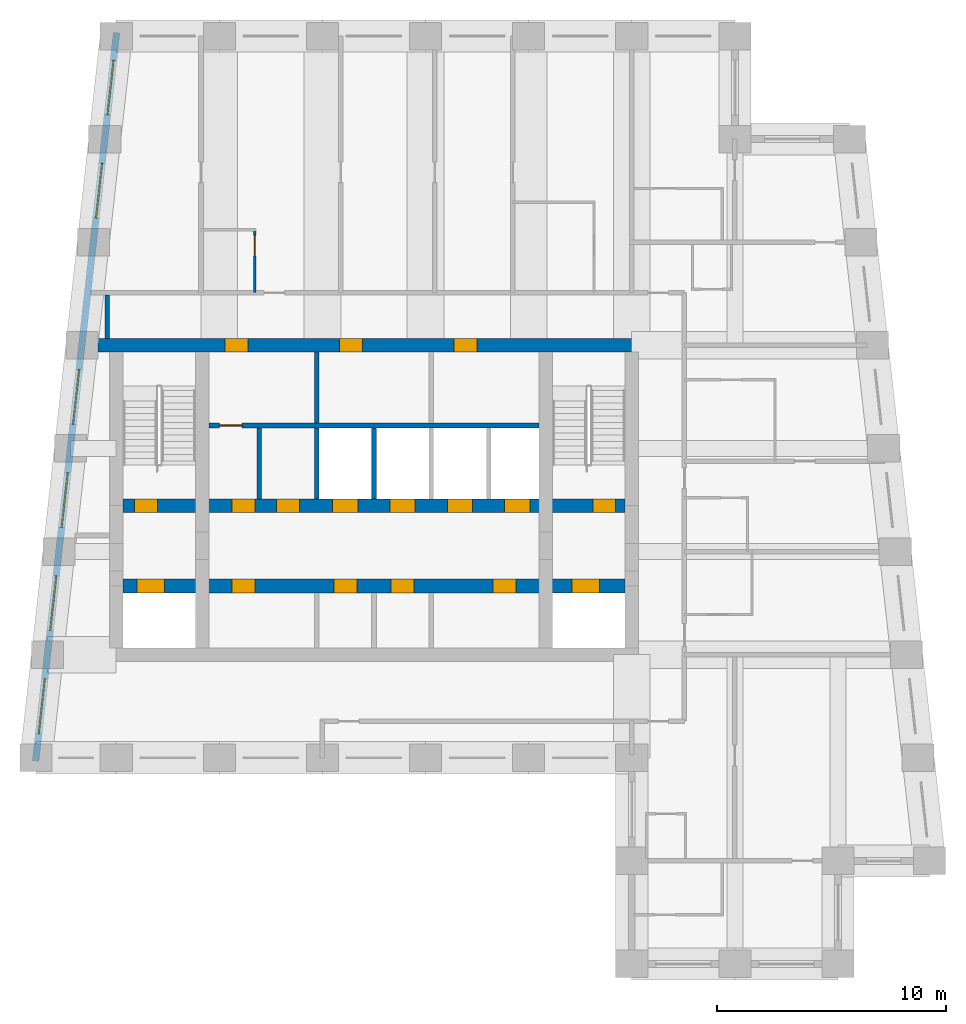
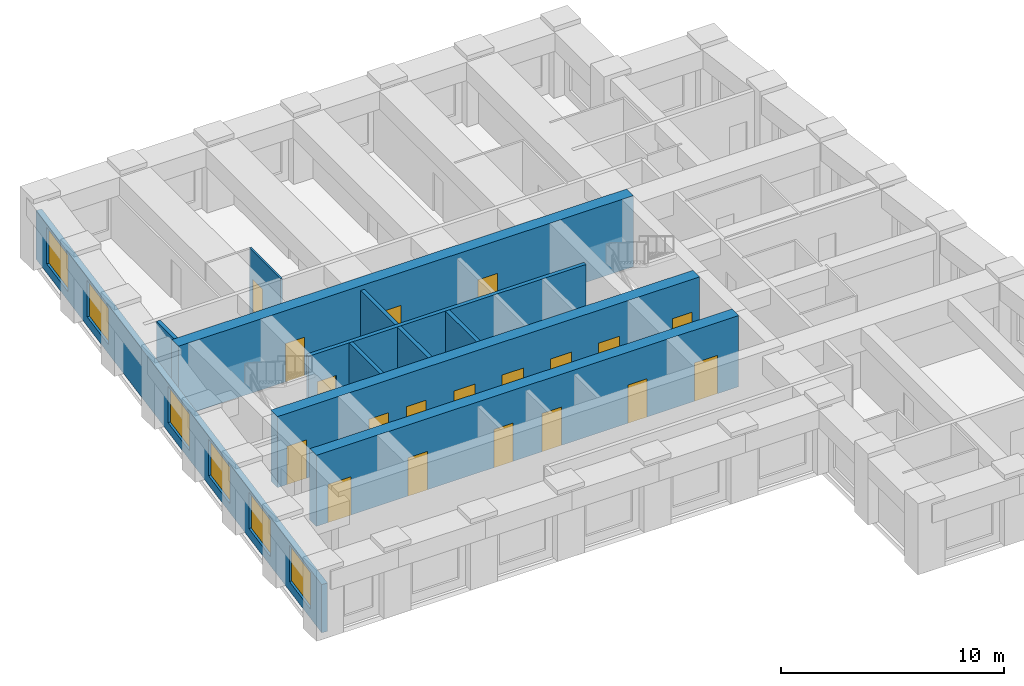
# One storey, part 3 of 7: 19 doors, 11 walls, 6 windows, 25 openings.
"""IFC4 building model written with IfcOpenShell, lengths in metres."""

from ifc_helpers import new_model, si_unit, direction, frame, frame_2d, origin, place, context, subcontext, project, spatial, rectangle, extrude, material, layer, layer_set, type_object, element, fill, save


model = new_model("IFC4")

# Units and contexts
model_context = context("Model", 3, precision=1e-05, world=origin(), true_north=direction((0.0, 1.0)))
body_context = subcontext(model_context, "Body", "Model", "MODEL_VIEW")
ifc_project = project(units=[si_unit("LENGTHUNIT", "METRE"), si_unit("AREAUNIT", "SQUARE_METRE"), si_unit("VOLUMEUNIT", "CUBIC_METRE"), si_unit("PLANEANGLEUNIT", "RADIAN"), si_unit("MASSUNIT", "GRAM", prefix="KILO")], contexts=[model_context])

# Site, building, storey
site_placement = place(None, origin())
site = spatial("IfcSite", under=ifc_project, at=site_placement, CompositionType="ELEMENT")
building_placement = place(site_placement, origin())
building = spatial("IfcBuilding", under=site, at=building_placement, Name="Kilele Tower Hotel", CompositionType="ELEMENT")
storey_placement = place(building_placement, frame((0.0, 0.0, 274.10009765625)))
storey = spatial("IfcBuildingStorey", under=building, at=storey_placement, Name="L70", CompositionType="ELEMENT", Elevation=274.10009765625)

# Wall, opening, door
ifc_material_1 = material(Name="Moisture-resistant board")
ifc_layer_1 = layer(ifc_material_1, 0.10009765625)
ifc_layer_set_1 = layer_set([ifc_layer_1], Name="Moisture-resistant board")
wall_type_1 = type_object("IfcWallType", Name="Bathroom partition 100", PredefinedType="PLUMBINGWALL", material=ifc_layer_set_1)
wall_1_placement = place(storey_placement, frame((19.550048828125, 29.300048828125, 0.0), z_axis=(0.0, 0.0, 1.0), x_axis=(0.0, 1.0, 0.0)))
wall_1 = element("IfcWall", 1, at=wall_1_placement, inside=storey, type_object=wall_type_1, Name="Bathroom partition 100 L70", PredefinedType="PLUMBINGWALL", context=body_context, shape_type="SweptSolid", body=[
    extrude(rectangle(XDim=2.800048828125, YDim=0.10009765625, at=frame_2d((1.39990234375, 0.0))), origin(), (0.0, 0.0, 1.0), 3.64990234375),
])
opening_1_placement = place(wall_1_placement, frame((2.5, 0.0, 0.0), z_axis=(0.0, 0.0, 1.0), x_axis=(-1.0, 0.0, 0.0)))
opening_1 = element("IfcOpeningElement", 2, at=opening_1_placement, cuts=wall_1, Name="Opening D2A", PredefinedType="OPENING", context=body_context, shape_type="SweptSolid", body=[
    extrude(rectangle(XDim=0.89990234375, YDim=2.10009765625, at=frame_2d((0.449951171875, 1.050048828125))), frame((0.0, 0.06005859375, 0.0), z_axis=(0.0, -1.0, 0.0), x_axis=(1.0, 0.0, 0.0)), (0.0, 0.0, 1.0), 0.1201171875),
])
ifc_material_2 = material(Name="Timber door leaf in hardwood frame", Category="wood")
door_type_1 = type_object("IfcDoorType", Name="Bathroom door 900", OperationType="SINGLE_SWING_LEFT", PredefinedType="DOOR", material=ifc_material_2)
door_1_placement = place(opening_1_placement, origin())
door_1 = element("IfcDoor", 3, at=door_1_placement, inside=storey, type_object=door_type_1, Name="Bathroom door 7007B", OperationType="SINGLE_SWING_RIGHT", OverallHeight=2.10009765625, OverallWidth=0.89990234375, PredefinedType="DOOR", context=body_context, shape_type="SweptSolid", body=[
    extrude(rectangle(XDim=0.89990234375, YDim=2.10009765625, at=frame_2d((0.449951171875, 1.050048828125))), frame((0.0, 0.02490234375, 0.0), z_axis=(0.0, -1.0, 0.0), x_axis=(1.0, 0.0, 0.0)), (0.0, 0.0, 1.0), 0.050048828125),
])
fill(opening_1, door_1)

# Wall, openings, doors
ifc_material_3 = material(Name="Concrete C60/75", Category="concrete")
ifc_layer_2 = layer(ifc_material_3, 0.60009765625)
ifc_layer_set_2 = layer_set([ifc_layer_2], Name="Concrete C60/75")
wall_type_2 = type_object("IfcWallType", Name="Core wall 600 C60/75", PredefinedType="SHEAR", material=ifc_layer_set_2)
wall_2_placement = place(storey_placement, frame((36.300048828125, 27.0, 0.0), z_axis=(0.0, 0.0, 1.0), x_axis=(-1.0, 0.0, 0.0)))
wall_2 = element("IfcWall", 4, at=wall_2_placement, inside=storey, type_object=wall_type_2, Name="Core wall N L70", PredefinedType="SHEAR", context=body_context, shape_type="SweptSolid", body=[
    extrude(rectangle(XDim=23.60009765625, YDim=0.60009765625, at=frame_2d((11.800048828125, 0.0))), origin(), (0.0, 0.0, 1.0), 3.89990234375),
])
opening_2_placement = place(wall_2_placement, frame((17.050048828125, 0.0, 0.0)))
opening_2 = element("IfcOpeningElement", 5, at=opening_2_placement, cuts=wall_2, Name="Opening D12", PredefinedType="OPENING", context=body_context, shape_type="SweptSolid", body=[
    extrude(rectangle(XDim=1.0, YDim=2.10009765625, at=frame_2d((0.5, 1.050048828125))), frame((0.0, 0.31005859375, 0.0), z_axis=(0.0, -1.0, 0.0), x_axis=(1.0, 0.0, 0.0)), (0.0, 0.0, 1.0), 0.6201171875),
])
opening_3_placement = place(wall_2_placement, frame((12.050048828125, 0.0, 0.0)))
opening_3 = element("IfcOpeningElement", 6, at=opening_3_placement, cuts=wall_2, Name="Opening D6", PredefinedType="OPENING", context=body_context, shape_type="SweptSolid", body=[
    extrude(rectangle(XDim=1.0, YDim=2.10009765625, at=frame_2d((0.5, 1.050048828125))), frame((0.0, 0.31005859375, 0.0), z_axis=(0.0, -1.0, 0.0), x_axis=(1.0, 0.0, 0.0)), (0.0, 0.0, 1.0), 0.6201171875),
])
opening_4_placement = place(wall_2_placement, frame((7.050048828125, 0.0, 0.0)))
opening_4 = element("IfcOpeningElement", 7, at=opening_4_placement, cuts=wall_2, Name="Opening D6", PredefinedType="OPENING", context=body_context, shape_type="SweptSolid", body=[
    extrude(rectangle(XDim=1.0, YDim=2.10009765625, at=frame_2d((0.5, 1.050048828125))), frame((0.0, 0.31005859375, 0.0), z_axis=(0.0, -1.0, 0.0), x_axis=(1.0, 0.0, 0.0)), (0.0, 0.0, 1.0), 0.6201171875),
])
ifc_material_4 = material(Name="Timber door leaf in hardwood frame", Category="wood")
door_type_2 = type_object("IfcDoorType", Name="Core lobby door 1000", OperationType="SINGLE_SWING_LEFT", PredefinedType="DOOR", material=ifc_material_4)
door_2_placement = place(opening_2_placement, origin())
door_2 = element("IfcDoor", 8, at=door_2_placement, inside=storey, type_object=door_type_2, Name="North lobby door L70", OperationType="SINGLE_SWING_RIGHT", OverallHeight=2.10009765625, OverallWidth=1.0, PredefinedType="DOOR", context=body_context, shape_type="SweptSolid", body=[
    extrude(rectangle(XDim=1.0, YDim=2.10009765625, at=frame_2d((0.5, 1.050048828125))), frame((0.0, 0.2998046875, 0.0), z_axis=(0.0, -1.0, 0.0), x_axis=(1.0, 0.0, 0.0)), (0.0, 0.0, 1.0), 0.599609375),
])
fill(opening_2, door_2)
ifc_material_5 = material(Name="Timber door leaf in hardwood frame", Category="wood")
door_type_3 = type_object("IfcDoorType", Name="Riser door 1000", OperationType="SINGLE_SWING_LEFT", PredefinedType="DOOR", material=ifc_material_5)
door_3_placement = place(opening_3_placement, origin())
door_3 = element("IfcDoor", 9, at=door_3_placement, inside=storey, type_object=door_type_3, Name="Linen store door L70", OperationType="SINGLE_SWING_RIGHT", OverallHeight=2.10009765625, OverallWidth=1.0, PredefinedType="DOOR", context=body_context, shape_type="SweptSolid", body=[
    extrude(rectangle(XDim=1.0, YDim=2.10009765625, at=frame_2d((0.5, 1.050048828125))), frame((0.0, 0.2998046875, 0.0), z_axis=(0.0, -1.0, 0.0), x_axis=(1.0, 0.0, 0.0)), (0.0, 0.0, 1.0), 0.599609375),
])
fill(opening_3, door_3)
door_4_placement = place(opening_4_placement, origin())
door_4 = element("IfcDoor", 10, at=door_4_placement, inside=storey, type_object=door_type_3, Name="Electrical riser door L70", OperationType="SINGLE_SWING_RIGHT", OverallHeight=2.10009765625, OverallWidth=1.0, PredefinedType="DOOR", context=body_context, shape_type="SweptSolid", body=[
    extrude(rectangle(XDim=1.0, YDim=2.10009765625, at=frame_2d((0.5, 1.050048828125))), frame((0.0, 0.2998046875, 0.0), z_axis=(0.0, -1.0, 0.0), x_axis=(1.0, 0.0, 0.0)), (0.0, 0.0, 1.0), 0.599609375),
])
fill(opening_4, door_4)

wall_3_placement = place(storey_placement, frame((13.800048828125, 16.5, 0.0), z_axis=(0.0, 0.0, 1.0), x_axis=(1.0, 0.0, 0.0)))
wall_3 = element("IfcWall", 11, at=wall_3_placement, inside=storey, type_object=wall_type_2, Name="Core wall LS L70", PredefinedType="SHEAR", context=body_context, shape_type="SweptSolid", body=[
    extrude(rectangle(XDim=21.89990234375, YDim=0.60009765625, at=frame_2d((10.949951171875, 0.0))), origin(), (0.0, 0.0, 1.0), 3.89990234375),
])
opening_5_placement = place(wall_3_placement, frame((5.75, 0.0, 0.0), z_axis=(0.0, 0.0, 1.0), x_axis=(-1.0, 0.0, 0.0)))
opening_5 = element("IfcOpeningElement", 12, at=opening_5_placement, cuts=wall_3, Name="Opening D11", PredefinedType="OPENING", context=body_context, shape_type="SweptSolid", body=[
    extrude(rectangle(XDim=1.0, YDim=2.10009765625, at=frame_2d((0.5, 1.050048828125))), frame((0.0, 0.31005859375, 0.0), z_axis=(0.0, -1.0, 0.0), x_axis=(1.0, 0.0, 0.0)), (0.0, 0.0, 1.0), 0.6201171875),
])
opening_6_placement = place(wall_3_placement, frame((10.199951171875, 0.0, 0.0), z_axis=(0.0, 0.0, 1.0), x_axis=(-1.0, 0.0, 0.0)))
opening_6 = element("IfcOpeningElement", 13, at=opening_6_placement, cuts=wall_3, Name="Opening D11", PredefinedType="OPENING", context=body_context, shape_type="SweptSolid", body=[
    extrude(rectangle(XDim=1.0, YDim=2.10009765625, at=frame_2d((0.5, 1.050048828125))), frame((0.0, 0.31005859375, 0.0), z_axis=(0.0, -1.0, 0.0), x_axis=(1.0, 0.0, 0.0)), (0.0, 0.0, 1.0), 0.6201171875),
])
opening_7_placement = place(wall_3_placement, frame((12.699951171875, 0.0, 0.0), z_axis=(0.0, 0.0, 1.0), x_axis=(-1.0, 0.0, 0.0)))
opening_7 = element("IfcOpeningElement", 14, at=opening_7_placement, cuts=wall_3, Name="Opening D11", PredefinedType="OPENING", context=body_context, shape_type="SweptSolid", body=[
    extrude(rectangle(XDim=1.0, YDim=2.10009765625, at=frame_2d((0.5, 1.050048828125))), frame((0.0, 0.31005859375, 0.0), z_axis=(0.0, -1.0, 0.0), x_axis=(1.0, 0.0, 0.0)), (0.0, 0.0, 1.0), 0.6201171875),
])
opening_8_placement = place(wall_3_placement, frame((17.14990234375, 0.0, 0.0), z_axis=(0.0, 0.0, 1.0), x_axis=(-1.0, 0.0, 0.0)))
opening_8 = element("IfcOpeningElement", 15, at=opening_8_placement, cuts=wall_3, Name="Opening D11", PredefinedType="OPENING", context=body_context, shape_type="SweptSolid", body=[
    extrude(rectangle(XDim=1.0, YDim=2.10009765625, at=frame_2d((0.5, 1.050048828125))), frame((0.0, 0.31005859375, 0.0), z_axis=(0.0, -1.0, 0.0), x_axis=(1.0, 0.0, 0.0)), (0.0, 0.0, 1.0), 0.6201171875),
])
opening_9_placement = place(wall_3_placement, frame((0.60009765625, 0.0, 0.0)))
opening_9 = element("IfcOpeningElement", 16, at=opening_9_placement, cuts=wall_3, Name="Opening LD2", PredefinedType="OPENING", context=body_context, shape_type="SweptSolid", body=[
    extrude(rectangle(XDim=1.199951171875, YDim=2.10009765625, at=frame_2d((0.60009765625, 1.050048828125))), frame((0.0, 0.31005859375, 0.0), z_axis=(0.0, -1.0, 0.0), x_axis=(1.0, 0.0, 0.0)), (0.0, 0.0, 1.0), 0.6201171875),
])
opening_10_placement = place(wall_3_placement, frame((19.60009765625, 0.0, 0.0)))
opening_10 = element("IfcOpeningElement", 17, at=opening_10_placement, cuts=wall_3, Name="Opening LD2", PredefinedType="OPENING", context=body_context, shape_type="SweptSolid", body=[
    extrude(rectangle(XDim=1.199951171875, YDim=2.10009765625, at=frame_2d((0.60009765625, 1.050048828125))), frame((0.0, 0.31005859375, 0.0), z_axis=(0.0, -1.0, 0.0), x_axis=(1.0, 0.0, 0.0)), (0.0, 0.0, 1.0), 0.6201171875),
])
ifc_material_6 = material(Name="Timber door leaf in hardwood frame", Category="wood")
door_type_4 = type_object("IfcDoorType", Name="Core store door 1000", OperationType="SINGLE_SWING_LEFT", PredefinedType="DOOR", material=ifc_material_6)
door_5_placement = place(opening_5_placement, origin())
door_5 = element("IfcDoor", 18, at=door_5_placement, inside=storey, type_object=door_type_4, Name="Core room door L1 L70", OperationType="SINGLE_SWING_RIGHT", OverallHeight=2.10009765625, OverallWidth=1.0, PredefinedType="DOOR", context=body_context, shape_type="SweptSolid", body=[
    extrude(rectangle(XDim=1.0, YDim=2.10009765625, at=frame_2d((0.5, 1.050048828125))), frame((0.0, 0.2998046875, 0.0), z_axis=(0.0, -1.0, 0.0), x_axis=(1.0, 0.0, 0.0)), (0.0, 0.0, 1.0), 0.599609375),
])
fill(opening_5, door_5)
door_6_placement = place(opening_6_placement, origin())
door_6 = element("IfcDoor", 19, at=door_6_placement, inside=storey, type_object=door_type_4, Name="Core room door L3 L70", OperationType="SINGLE_SWING_RIGHT", OverallHeight=2.10009765625, OverallWidth=1.0, PredefinedType="DOOR", context=body_context, shape_type="SweptSolid", body=[
    extrude(rectangle(XDim=1.0, YDim=2.10009765625, at=frame_2d((0.5, 1.050048828125))), frame((0.0, 0.2998046875, 0.0), z_axis=(0.0, -1.0, 0.0), x_axis=(1.0, 0.0, 0.0)), (0.0, 0.0, 1.0), 0.599609375),
])
fill(opening_6, door_6)
door_7_placement = place(opening_7_placement, origin())
door_7 = element("IfcDoor", 20, at=door_7_placement, inside=storey, type_object=door_type_4, Name="Core room door M1 L70", OperationType="SINGLE_SWING_LEFT", OverallHeight=2.10009765625, OverallWidth=1.0, PredefinedType="DOOR", context=body_context, shape_type="SweptSolid", body=[
    extrude(rectangle(XDim=1.0, YDim=2.10009765625, at=frame_2d((0.5, 1.050048828125))), frame((0.0, 0.2998046875, 0.0), z_axis=(0.0, -1.0, 0.0), x_axis=(1.0, 0.0, 0.0)), (0.0, 0.0, 1.0), 0.599609375),
])
fill(opening_7, door_7)
door_8_placement = place(opening_8_placement, origin())
door_8 = element("IfcDoor", 21, at=door_8_placement, inside=storey, type_object=door_type_4, Name="Core room door M3 L70", OperationType="SINGLE_SWING_LEFT", OverallHeight=2.10009765625, OverallWidth=1.0, PredefinedType="DOOR", context=body_context, shape_type="SweptSolid", body=[
    extrude(rectangle(XDim=1.0, YDim=2.10009765625, at=frame_2d((0.5, 1.050048828125))), frame((0.0, 0.2998046875, 0.0), z_axis=(0.0, -1.0, 0.0), x_axis=(1.0, 0.0, 0.0)), (0.0, 0.0, 1.0), 0.599609375),
])
fill(opening_8, door_8)
ifc_material_7 = material(Name="Steel lift landing door", Category="steel")
door_type_5 = type_object("IfcDoorType", Name="Firefighting lift landing door 1200", OperationType="SLIDING_TO_LEFT", PredefinedType="DOOR", material=ifc_material_7)
door_9_placement = place(opening_9_placement, origin())
door_9 = element("IfcDoor", 22, at=door_9_placement, inside=storey, type_object=door_type_5, Name="Landing door FFW L70", OperationType="SLIDING_TO_LEFT", OverallHeight=2.10009765625, OverallWidth=1.199951171875, PredefinedType="DOOR", context=body_context, shape_type="SweptSolid", body=[
    extrude(rectangle(XDim=1.199951171875, YDim=2.10009765625, at=frame_2d((0.60009765625, 1.050048828125))), frame((0.0, 0.2998046875, 0.0), z_axis=(0.0, -1.0, 0.0), x_axis=(1.0, 0.0, 0.0)), (0.0, 0.0, 1.0), 0.599609375),
])
fill(opening_9, door_9)
door_10_placement = place(opening_10_placement, origin())
door_10 = element("IfcDoor", 23, at=door_10_placement, inside=storey, type_object=door_type_5, Name="Landing door FFE L70", OperationType="SLIDING_TO_LEFT", OverallHeight=2.10009765625, OverallWidth=1.199951171875, PredefinedType="DOOR", context=body_context, shape_type="SweptSolid", body=[
    extrude(rectangle(XDim=1.199951171875, YDim=2.10009765625, at=frame_2d((0.60009765625, 1.050048828125))), frame((0.0, 0.2998046875, 0.0), z_axis=(0.0, -1.0, 0.0), x_axis=(1.0, 0.0, 0.0)), (0.0, 0.0, 1.0), 0.599609375),
])
fill(opening_10, door_10)

wall_4_placement = place(storey_placement, frame((13.800048828125, 20.0, 0.0), z_axis=(0.0, 0.0, 1.0), x_axis=(1.0, 0.0, 0.0)))
wall_4 = element("IfcWall", 24, at=wall_4_placement, inside=storey, type_object=wall_type_2, Name="Core wall LN L70", PredefinedType="SHEAR", context=body_context, shape_type="SweptSolid", body=[
    extrude(rectangle(XDim=21.89990234375, YDim=0.60009765625, at=frame_2d((10.949951171875, 0.0))), origin(), (0.0, 0.0, 1.0), 3.89990234375),
])
opening_11_placement = place(wall_4_placement, frame((0.5, 0.0, 0.0)))
opening_11 = element("IfcOpeningElement", 25, at=opening_11_placement, cuts=wall_4, Name="Opening D5", PredefinedType="OPENING", context=body_context, shape_type="SweptSolid", body=[
    extrude(rectangle(XDim=1.0, YDim=2.10009765625, at=frame_2d((0.5, 1.050048828125))), frame((0.0, 0.31005859375, 0.0), z_axis=(0.0, -1.0, 0.0), x_axis=(1.0, 0.0, 0.0)), (0.0, 0.0, 1.0), 0.6201171875),
])
opening_12_placement = place(wall_4_placement, frame((20.5, 0.0, 0.0)))
opening_12 = element("IfcOpeningElement", 26, at=opening_12_placement, cuts=wall_4, Name="Opening D5", PredefinedType="OPENING", context=body_context, shape_type="SweptSolid", body=[
    extrude(rectangle(XDim=1.0, YDim=2.10009765625, at=frame_2d((0.5, 1.050048828125))), frame((0.0, 0.31005859375, 0.0), z_axis=(0.0, -1.0, 0.0), x_axis=(1.0, 0.0, 0.0)), (0.0, 0.0, 1.0), 0.6201171875),
])
opening_13_placement = place(wall_4_placement, frame((9.14990234375, 0.0, 0.0)))
opening_13 = element("IfcOpeningElement", 27, at=opening_13_placement, cuts=wall_4, Name="Opening LD1", PredefinedType="OPENING", context=body_context, shape_type="SweptSolid", body=[
    extrude(rectangle(XDim=1.10009765625, YDim=2.10009765625, at=frame_2d((0.550048828125, 1.050048828125))), frame((0.0, 0.31005859375, 0.0), z_axis=(0.0, -1.0, 0.0), x_axis=(1.0, 0.0, 0.0)), (0.0, 0.0, 1.0), 0.6201171875),
])
opening_14_placement = place(wall_4_placement, frame((11.64990234375, 0.0, 0.0)))
opening_14 = element("IfcOpeningElement", 28, at=opening_14_placement, cuts=wall_4, Name="Opening LD1", PredefinedType="OPENING", context=body_context, shape_type="SweptSolid", body=[
    extrude(rectangle(XDim=1.10009765625, YDim=2.10009765625, at=frame_2d((0.550048828125, 1.050048828125))), frame((0.0, 0.31005859375, 0.0), z_axis=(0.0, -1.0, 0.0), x_axis=(1.0, 0.0, 0.0)), (0.0, 0.0, 1.0), 0.6201171875),
])
opening_15_placement = place(wall_4_placement, frame((14.14990234375, 0.0, 0.0)))
opening_15 = element("IfcOpeningElement", 29, at=opening_15_placement, cuts=wall_4, Name="Opening LD1", PredefinedType="OPENING", context=body_context, shape_type="SweptSolid", body=[
    extrude(rectangle(XDim=1.10009765625, YDim=2.10009765625, at=frame_2d((0.550048828125, 1.050048828125))), frame((0.0, 0.31005859375, 0.0), z_axis=(0.0, -1.0, 0.0), x_axis=(1.0, 0.0, 0.0)), (0.0, 0.0, 1.0), 0.6201171875),
])
opening_16_placement = place(wall_4_placement, frame((16.64990234375, 0.0, 0.0)))
opening_16 = element("IfcOpeningElement", 30, at=opening_16_placement, cuts=wall_4, Name="Opening LD1", PredefinedType="OPENING", context=body_context, shape_type="SweptSolid", body=[
    extrude(rectangle(XDim=1.10009765625, YDim=2.10009765625, at=frame_2d((0.550048828125, 1.050048828125))), frame((0.0, 0.31005859375, 0.0), z_axis=(0.0, -1.0, 0.0), x_axis=(1.0, 0.0, 0.0)), (0.0, 0.0, 1.0), 0.6201171875),
])
opening_17_placement = place(wall_4_placement, frame((5.75, 0.0, 0.0), z_axis=(0.0, 0.0, 1.0), x_axis=(-1.0, 0.0, 0.0)))
opening_17 = element("IfcOpeningElement", 31, at=opening_17_placement, cuts=wall_4, Name="Opening D12", PredefinedType="OPENING", context=body_context, shape_type="SweptSolid", body=[
    extrude(rectangle(XDim=1.0, YDim=2.10009765625, at=frame_2d((0.5, 1.050048828125))), frame((0.0, 0.31005859375, 0.0), z_axis=(0.0, -1.0, 0.0), x_axis=(1.0, 0.0, 0.0)), (0.0, 0.0, 1.0), 0.6201171875),
])
opening_18_placement = place(wall_4_placement, frame((6.699951171875, 0.0, 0.0)))
opening_18 = element("IfcOpeningElement", 32, at=opening_18_placement, cuts=wall_4, Name="Opening D11", PredefinedType="OPENING", context=body_context, shape_type="SweptSolid", body=[
    extrude(rectangle(XDim=1.0, YDim=2.10009765625, at=frame_2d((0.5, 1.050048828125))), frame((0.0, 0.31005859375, 0.0), z_axis=(0.0, -1.0, 0.0), x_axis=(1.0, 0.0, 0.0)), (0.0, 0.0, 1.0), 0.6201171875),
])
door_11_placement = place(opening_17_placement, origin())
door_11 = element("IfcDoor", 33, at=door_11_placement, inside=storey, type_object=door_type_2, Name="Core passage door L70", OperationType="SINGLE_SWING_RIGHT", OverallHeight=2.10009765625, OverallWidth=1.0, PredefinedType="DOOR", context=body_context, shape_type="SweptSolid", body=[
    extrude(rectangle(XDim=1.0, YDim=2.10009765625, at=frame_2d((0.5, 1.050048828125))), frame((0.0, 0.2998046875, 0.0), z_axis=(0.0, -1.0, 0.0), x_axis=(1.0, 0.0, 0.0)), (0.0, 0.0, 1.0), 0.599609375),
])
fill(opening_17, door_11)
door_12_placement = place(opening_18_placement, origin())
door_12 = element("IfcDoor", 34, at=door_12_placement, inside=storey, type_object=door_type_4, Name="Core room door S2 L70", OperationType="SINGLE_SWING_LEFT", OverallHeight=2.10009765625, OverallWidth=1.0, PredefinedType="DOOR", context=body_context, shape_type="SweptSolid", body=[
    extrude(rectangle(XDim=1.0, YDim=2.10009765625, at=frame_2d((0.5, 1.050048828125))), frame((0.0, 0.2998046875, 0.0), z_axis=(0.0, -1.0, 0.0), x_axis=(1.0, 0.0, 0.0)), (0.0, 0.0, 1.0), 0.599609375),
])
fill(opening_18, door_12)
ifc_material_8 = material(Name="Steel lift landing door", Category="steel")
door_type_6 = type_object("IfcDoorType", Name="Lift landing door 1100", OperationType="SLIDING_TO_LEFT", PredefinedType="DOOR", material=ifc_material_8)
door_13_placement = place(opening_13_placement, origin())
door_13 = element("IfcDoor", 35, at=door_13_placement, inside=storey, type_object=door_type_6, Name="Landing door H1 L70", OperationType="SLIDING_TO_LEFT", OverallHeight=2.10009765625, OverallWidth=1.10009765625, PredefinedType="DOOR", context=body_context, shape_type="SweptSolid", body=[
    extrude(rectangle(XDim=1.10009765625, YDim=2.10009765625, at=frame_2d((0.550048828125, 1.050048828125))), frame((0.0, 0.2998046875, 0.0), z_axis=(0.0, -1.0, 0.0), x_axis=(1.0, 0.0, 0.0)), (0.0, 0.0, 1.0), 0.599609375),
])
fill(opening_13, door_13)
door_14_placement = place(opening_14_placement, origin())
door_14 = element("IfcDoor", 36, at=door_14_placement, inside=storey, type_object=door_type_6, Name="Landing door H2 L70", OperationType="SLIDING_TO_LEFT", OverallHeight=2.10009765625, OverallWidth=1.10009765625, PredefinedType="DOOR", context=body_context, shape_type="SweptSolid", body=[
    extrude(rectangle(XDim=1.10009765625, YDim=2.10009765625, at=frame_2d((0.550048828125, 1.050048828125))), frame((0.0, 0.2998046875, 0.0), z_axis=(0.0, -1.0, 0.0), x_axis=(1.0, 0.0, 0.0)), (0.0, 0.0, 1.0), 0.599609375),
])
fill(opening_14, door_14)
door_15_placement = place(opening_15_placement, origin())
door_15 = element("IfcDoor", 37, at=door_15_placement, inside=storey, type_object=door_type_6, Name="Landing door H3 L70", OperationType="SLIDING_TO_LEFT", OverallHeight=2.10009765625, OverallWidth=1.10009765625, PredefinedType="DOOR", context=body_context, shape_type="SweptSolid", body=[
    extrude(rectangle(XDim=1.10009765625, YDim=2.10009765625, at=frame_2d((0.550048828125, 1.050048828125))), frame((0.0, 0.2998046875, 0.0), z_axis=(0.0, -1.0, 0.0), x_axis=(1.0, 0.0, 0.0)), (0.0, 0.0, 1.0), 0.599609375),
])
fill(opening_15, door_15)
door_16_placement = place(opening_16_placement, origin())
door_16 = element("IfcDoor", 38, at=door_16_placement, inside=storey, type_object=door_type_6, Name="Landing door G1 L70", OperationType="SLIDING_TO_LEFT", OverallHeight=2.10009765625, OverallWidth=1.10009765625, PredefinedType="DOOR", context=body_context, shape_type="SweptSolid", body=[
    extrude(rectangle(XDim=1.10009765625, YDim=2.10009765625, at=frame_2d((0.550048828125, 1.050048828125))), frame((0.0, 0.2998046875, 0.0), z_axis=(0.0, -1.0, 0.0), x_axis=(1.0, 0.0, 0.0)), (0.0, 0.0, 1.0), 0.599609375),
])
fill(opening_16, door_16)
ifc_material_9 = material(Name="Timber door leaf in hardwood frame", Category="wood")
door_type_7 = type_object("IfcDoorType", Name="Stair door 1000", OperationType="SINGLE_SWING_LEFT", PredefinedType="DOOR", material=ifc_material_9)
door_17_placement = place(opening_11_placement, origin())
door_17 = element("IfcDoor", 39, at=door_17_placement, inside=storey, type_object=door_type_7, Name="Stair 1 door L70", OperationType="SINGLE_SWING_LEFT", OverallHeight=2.10009765625, OverallWidth=1.0, PredefinedType="DOOR", context=body_context, shape_type="SweptSolid", body=[
    extrude(rectangle(XDim=1.0, YDim=2.10009765625, at=frame_2d((0.5, 1.050048828125))), frame((0.0, 0.2998046875, 0.0), z_axis=(0.0, -1.0, 0.0), x_axis=(1.0, 0.0, 0.0)), (0.0, 0.0, 1.0), 0.599609375),
])
fill(opening_11, door_17)
door_18_placement = place(opening_12_placement, origin())
door_18 = element("IfcDoor", 40, at=door_18_placement, inside=storey, type_object=door_type_7, Name="Stair 2 door L70", OperationType="SINGLE_SWING_RIGHT", OverallHeight=2.10009765625, OverallWidth=1.0, PredefinedType="DOOR", context=body_context, shape_type="SweptSolid", body=[
    extrude(rectangle(XDim=1.0, YDim=2.10009765625, at=frame_2d((0.5, 1.050048828125))), frame((0.0, 0.2998046875, 0.0), z_axis=(0.0, -1.0, 0.0), x_axis=(1.0, 0.0, 0.0)), (0.0, 0.0, 1.0), 0.599609375),
])
fill(opening_12, door_18)

# Wall
ifc_material_10 = material(Name="Blockwork, plastered both sides", Category="masonry")
ifc_layer_3 = layer(ifc_material_10, 0.199951171875)
ifc_layer_set_3 = layer_set([ifc_layer_3], Name="Blockwork, plastered both sides")
wall_type_3 = type_object("IfcWallType", Name="Partition wall 200", PredefinedType="PARTITIONING", material=ifc_layer_set_3)
wall_5_placement = place(storey_placement, frame((13.10009765625, 27.300048828125, 0.0), z_axis=(0.0, 0.0, 1.0), x_axis=(0.0, 1.0, 0.0)))
element("IfcWall", 41, at=wall_5_placement, inside=storey, type_object=wall_type_3, Name="Partition wall 200 L70", PredefinedType="PARTITIONING", context=body_context, shape_type="SweptSolid", body=[
    extrude(rectangle(XDim=1.89990234375, YDim=0.199951171875, at=frame_2d((0.949951171875, 0.0))), origin(), (0.0, 0.0, 1.0), 3.64990234375),
])

# Wall, openings, windows
ifc_material_11 = material(Name="Concrete C40/50 precast", Category="concrete")
ifc_layer_4 = layer(ifc_material_11, 0.260009765625, Name="Precast backing", Category="LoadBearing")
ifc_material_12 = material(Name="Reconstituted stone finish", Category="masonry")
ifc_layer_5 = layer(ifc_material_12, 0.0400390625, Name="Face mix", Category="Finish")
ifc_layer_set_4 = layer_set([ifc_layer_4, ifc_layer_5], Name="Precast concrete C40/50, reconstituted stone finish")
wall_type_4 = type_object("IfcWallType", Name="Precast stone facade wall 300", PredefinedType="STANDARD", material=ifc_layer_set_4)
wall_6_placement = place(storey_placement, frame((13.5166015625, 40.649169921875, 0.0), z_axis=(0.0, 0.0, 1.0), x_axis=(-0.110433201132, -0.993883548555, 0.0)))
wall_6 = element("IfcWall", 42, at=wall_6_placement, inside=storey, type_object=wall_type_4, Name="Facade wall L70 edge 10", PredefinedType="STANDARD", context=body_context, shape_type="SweptSolid", body=[
    extrude(rectangle(XDim=31.994140625, YDim=0.300048828125, at=frame_2d((15.9970703125, 0.0))), origin(), (0.0, 0.0, 1.0), 2.64990234375),
])
opening_19_placement = place(wall_6_placement, frame((1.214111328125, 0.0, 0.5)))
opening_19 = element("IfcOpeningElement", 43, at=opening_19_placement, cuts=wall_6, Name="Opening W4", PredefinedType="OPENING", context=body_context, shape_type="SweptSolid", body=[
    extrude(rectangle(XDim=2.39990234375, YDim=2.0, at=frame_2d((1.199951171875, 1.0))), frame((0.0, 0.159912109375, 0.0), z_axis=(0.0, -1.0, 0.0), x_axis=(1.0, 0.0, 0.0)), (0.0, 0.0, 1.0), 0.320068359375),
])
opening_20_placement = place(wall_6_placement, frame((5.741943359375, 0.0, 0.5)))
opening_20 = element("IfcOpeningElement", 44, at=opening_20_placement, cuts=wall_6, Name="Opening W4", PredefinedType="OPENING", context=body_context, shape_type="SweptSolid", body=[
    extrude(rectangle(XDim=2.39990234375, YDim=2.0, at=frame_2d((1.199951171875, 1.0))), frame((0.0, 0.159912109375, 0.0), z_axis=(0.0, -1.0, 0.0), x_axis=(1.0, 0.0, 0.0)), (0.0, 0.0, 1.0), 0.320068359375),
])
opening_21_placement = place(wall_6_placement, frame((14.797119140625, 0.0, 0.5)))
opening_21 = element("IfcOpeningElement", 45, at=opening_21_placement, cuts=wall_6, Name="Opening W4", PredefinedType="OPENING", context=body_context, shape_type="SweptSolid", body=[
    extrude(rectangle(XDim=2.39990234375, YDim=2.0, at=frame_2d((1.199951171875, 1.0))), frame((0.0, 0.159912109375, 0.0), z_axis=(0.0, -1.0, 0.0), x_axis=(1.0, 0.0, 0.0)), (0.0, 0.0, 1.0), 0.320068359375),
])
opening_22_placement = place(wall_6_placement, frame((19.324951171875, 0.0, 0.5)))
opening_22 = element("IfcOpeningElement", 46, at=opening_22_placement, cuts=wall_6, Name="Opening W4", PredefinedType="OPENING", context=body_context, shape_type="SweptSolid", body=[
    extrude(rectangle(XDim=2.39990234375, YDim=2.0, at=frame_2d((1.199951171875, 1.0))), frame((0.0, 0.159912109375, 0.0), z_axis=(0.0, -1.0, 0.0), x_axis=(1.0, 0.0, 0.0)), (0.0, 0.0, 1.0), 0.320068359375),
])
opening_23_placement = place(wall_6_placement, frame((23.85205078125, 0.0, 0.5)))
opening_23 = element("IfcOpeningElement", 47, at=opening_23_placement, cuts=wall_6, Name="Opening W4", PredefinedType="OPENING", context=body_context, shape_type="SweptSolid", body=[
    extrude(rectangle(XDim=2.39990234375, YDim=2.0, at=frame_2d((1.199951171875, 1.0))), frame((0.0, 0.159912109375, 0.0), z_axis=(0.0, -1.0, 0.0), x_axis=(1.0, 0.0, 0.0)), (0.0, 0.0, 1.0), 0.320068359375),
])
opening_24_placement = place(wall_6_placement, frame((28.3798828125, 0.0, 0.5)))
opening_24 = element("IfcOpeningElement", 48, at=opening_24_placement, cuts=wall_6, Name="Opening W4", PredefinedType="OPENING", context=body_context, shape_type="SweptSolid", body=[
    extrude(rectangle(XDim=2.39990234375, YDim=2.0, at=frame_2d((1.199951171875, 1.0))), frame((0.0, 0.159912109375, 0.0), z_axis=(0.0, -1.0, 0.0), x_axis=(1.0, 0.0, 0.0)), (0.0, 0.0, 1.0), 0.320068359375),
])
ifc_material_13 = material(Name="Aluminium frame, clear double glazing", Category="aluminium")
window_type = type_object("IfcWindowType", Name="Window W4 2400 x 2000", PartitioningType="SINGLE_PANEL", PredefinedType="WINDOW", material=ifc_material_13)
window_1_placement = place(opening_19_placement, origin())
window_1 = element("IfcWindow", 49, at=window_1_placement, inside=storey, type_object=window_type, Name="Window L70", OverallHeight=2.0, OverallWidth=2.39990234375, PartitioningType="SINGLE_PANEL", PredefinedType="WINDOW", context=body_context, shape_type="SweptSolid", body=[
    extrude(rectangle(XDim=2.39990234375, YDim=2.0, at=frame_2d((1.199951171875, 1.0))), frame((0.0, 0.030029296875, 0.0), z_axis=(0.0, -1.0, 0.0), x_axis=(1.0, 0.0, 0.0)), (0.0, 0.0, 1.0), 0.06005859375),
])
fill(opening_19, window_1)
window_2_placement = place(opening_20_placement, origin())
window_2 = element("IfcWindow", 50, at=window_2_placement, inside=storey, type_object=window_type, Name="Window L70", OverallHeight=2.0, OverallWidth=2.39990234375, PartitioningType="SINGLE_PANEL", PredefinedType="WINDOW", context=body_context, shape_type="SweptSolid", body=[
    extrude(rectangle(XDim=2.39990234375, YDim=2.0, at=frame_2d((1.199951171875, 1.0))), frame((0.0, 0.030029296875, 0.0), z_axis=(0.0, -1.0, 0.0), x_axis=(1.0, 0.0, 0.0)), (0.0, 0.0, 1.0), 0.06005859375),
])
fill(opening_20, window_2)
window_3_placement = place(opening_21_placement, origin())
window_3 = element("IfcWindow", 51, at=window_3_placement, inside=storey, type_object=window_type, Name="Window L70", OverallHeight=2.0, OverallWidth=2.39990234375, PartitioningType="SINGLE_PANEL", PredefinedType="WINDOW", context=body_context, shape_type="SweptSolid", body=[
    extrude(rectangle(XDim=2.39990234375, YDim=2.0, at=frame_2d((1.199951171875, 1.0))), frame((0.0, 0.030029296875, 0.0), z_axis=(0.0, -1.0, 0.0), x_axis=(1.0, 0.0, 0.0)), (0.0, 0.0, 1.0), 0.06005859375),
])
fill(opening_21, window_3)
window_4_placement = place(opening_22_placement, origin())
window_4 = element("IfcWindow", 52, at=window_4_placement, inside=storey, type_object=window_type, Name="Window L70", OverallHeight=2.0, OverallWidth=2.39990234375, PartitioningType="SINGLE_PANEL", PredefinedType="WINDOW", context=body_context, shape_type="SweptSolid", body=[
    extrude(rectangle(XDim=2.39990234375, YDim=2.0, at=frame_2d((1.199951171875, 1.0))), frame((0.0, 0.030029296875, 0.0), z_axis=(0.0, -1.0, 0.0), x_axis=(1.0, 0.0, 0.0)), (0.0, 0.0, 1.0), 0.06005859375),
])
fill(opening_22, window_4)
window_5_placement = place(opening_23_placement, origin())
window_5 = element("IfcWindow", 53, at=window_5_placement, inside=storey, type_object=window_type, Name="Window L70", OverallHeight=2.0, OverallWidth=2.39990234375, PartitioningType="SINGLE_PANEL", PredefinedType="WINDOW", context=body_context, shape_type="SweptSolid", body=[
    extrude(rectangle(XDim=2.39990234375, YDim=2.0, at=frame_2d((1.199951171875, 1.0))), frame((0.0, 0.030029296875, 0.0), z_axis=(0.0, -1.0, 0.0), x_axis=(1.0, 0.0, 0.0)), (0.0, 0.0, 1.0), 0.06005859375),
])
fill(opening_23, window_5)
window_6_placement = place(opening_24_placement, origin())
window_6 = element("IfcWindow", 54, at=window_6_placement, inside=storey, type_object=window_type, Name="Window L70", OverallHeight=2.0, OverallWidth=2.39990234375, PartitioningType="SINGLE_PANEL", PredefinedType="WINDOW", context=body_context, shape_type="SweptSolid", body=[
    extrude(rectangle(XDim=2.39990234375, YDim=2.0, at=frame_2d((1.199951171875, 1.0))), frame((0.0, 0.030029296875, 0.0), z_axis=(0.0, -1.0, 0.0), x_axis=(1.0, 0.0, 0.0)), (0.0, 0.0, 1.0), 0.06005859375),
])
fill(opening_24, window_6)

# Walls
ifc_material_14 = material(Name="Blockwork, fire-rated", Category="masonry")
ifc_layer_6 = layer(ifc_material_14, 0.199951171875)
ifc_layer_set_5 = layer_set([ifc_layer_6], Name="Blockwork, fire-rated")
wall_type_5 = type_object("IfcWallType", Name="Shaft wall 200", PredefinedType="PARTITIONING", material=ifc_layer_set_5)
for number, where, z_axis, x_axis, name in (
    (55, (19.75, 20.300048828125, 0.0), (0.0, 0.0, 1.0), (0.0, 1.0, 0.0), "Shaft wall 200 L70"),
    (56, (22.25, 20.300048828125, 0.0), (0.0, 0.0, 1.0), (0.0, 1.0, 0.0), "Shaft wall 200 L70"),
    (57, (24.75, 20.300048828125, 0.0), (0.0, 0.0, 1.0), (0.0, 1.0, 0.0), "Shaft wall 200 L70"),
):
    element("IfcWall", number, at=place(storey_placement, frame(where, z_axis=z_axis, x_axis=x_axis)), inside=storey, type_object=wall_type_5, Name=name, PredefinedType="PARTITIONING", context=body_context, shape_type="SweptSolid", body=[
        extrude(rectangle(XDim=3.099853515625, YDim=0.199951171875, at=frame_2d((1.5498046875, 0.0))), origin(), (0.0, 0.0, 1.0), 3.64990234375),
    ])

# Wall, opening, door
wall_7_placement = place(storey_placement, frame((17.550048828125, 23.5, 0.0), z_axis=(0.0, 0.0, 1.0), x_axis=(1.0, 0.0, 0.0)))
wall_7 = element("IfcWall", 58, at=wall_7_placement, inside=storey, type_object=wall_type_5, Name="Shaft wall 200 L70", PredefinedType="PARTITIONING", context=body_context, shape_type="SweptSolid", body=[
    extrude(rectangle(XDim=14.39990234375, YDim=0.199951171875, at=frame_2d((7.199951171875, 0.0))), origin(), (0.0, 0.0, 1.0), 3.64990234375),
])
opening_25_placement = place(wall_7_placement, frame((0.449951171875, 0.0, 0.0)))
opening_25 = element("IfcOpeningElement", 59, at=opening_25_placement, cuts=wall_7, Name="Opening D12", PredefinedType="OPENING", context=body_context, shape_type="SweptSolid", body=[
    extrude(rectangle(XDim=1.0, YDim=2.10009765625, at=frame_2d((0.5, 1.050048828125))), frame((0.0, 0.10986328125, 0.0), z_axis=(0.0, -1.0, 0.0), x_axis=(1.0, 0.0, 0.0)), (0.0, 0.0, 1.0), 0.219970703125),
])
door_19_placement = place(opening_25_placement, origin())
door_19 = element("IfcDoor", 60, at=door_19_placement, inside=storey, type_object=door_type_2, Name="Core passage door", OperationType="SINGLE_SWING_LEFT", OverallHeight=2.10009765625, OverallWidth=1.0, PredefinedType="DOOR", context=body_context, shape_type="SweptSolid", body=[
    extrude(rectangle(XDim=1.0, YDim=2.10009765625, at=frame_2d((0.5, 1.050048828125))), frame((0.0, 0.02490234375, 0.0), z_axis=(0.0, -1.0, 0.0), x_axis=(1.0, 0.0, 0.0)), (0.0, 0.0, 1.0), 0.050048828125),
])
fill(opening_25, door_19)

# Wall
wall_8_placement = place(storey_placement, frame((22.25, 23.60009765625, 0.0), z_axis=(0.0, 0.0, 1.0), x_axis=(0.0, 1.0, 0.0)))
element("IfcWall", 61, at=wall_8_placement, inside=storey, type_object=wall_type_5, Name="Shaft wall 200 L70", PredefinedType="PARTITIONING", context=body_context, shape_type="SweptSolid", body=[
    extrude(rectangle(XDim=3.099853515625, YDim=0.199951171875, at=frame_2d((1.5498046875, 0.0))), origin(), (0.0, 0.0, 1.0), 3.64990234375),
])

save(model, "model.ifc")
